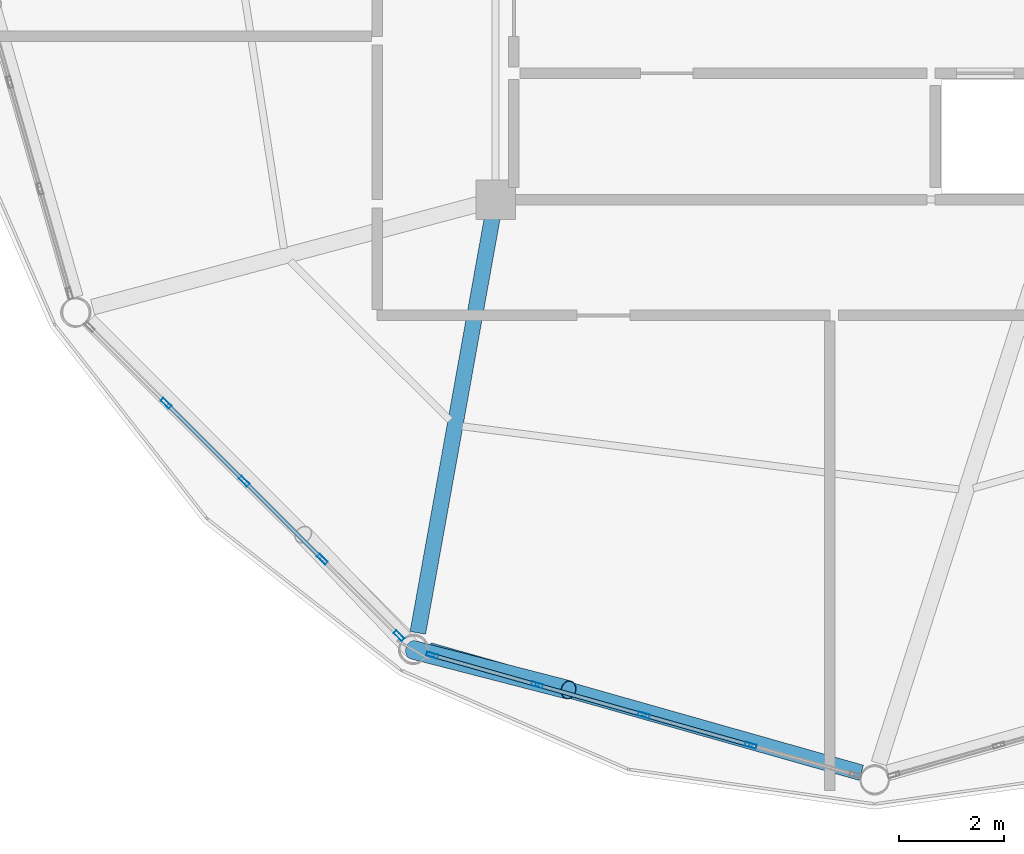
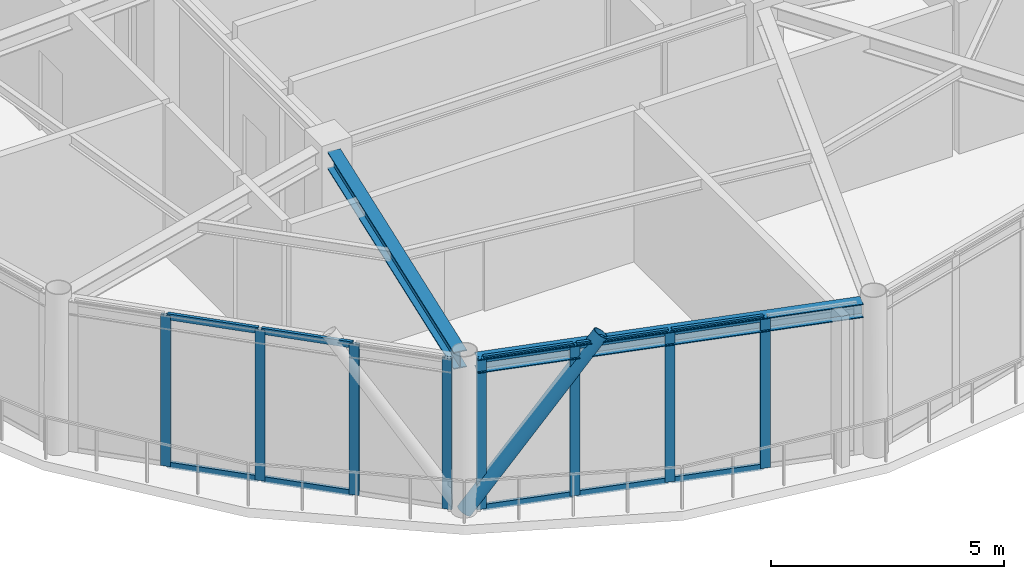
# One storey, part 2 of 21: 19 members, 2 beams, 2 elements without a shape of their own.
"""IFC4 building model written with IfcOpenShell, lengths in metres."""

from ifc_helpers import new_model, si_unit, direction, frame, origin, origin_2d, place, context, subcontext, project, spatial, hollow_rectangle, hollow_circle, i_section, extrude, material, layer, layer_set, material_profile, profile_set, type_object, element, aggregate, save


model = new_model("IFC4")

# Units and contexts
model_context = context("Model", 3, precision=1e-05, world=origin(), true_north=direction((0.0, 1.0)))
body_context = subcontext(model_context, "Body", "Model", "MODEL_VIEW")
ifc_project = project(units=[si_unit("LENGTHUNIT", "METRE"), si_unit("AREAUNIT", "SQUARE_METRE"), si_unit("VOLUMEUNIT", "CUBIC_METRE"), si_unit("PLANEANGLEUNIT", "RADIAN"), si_unit("MASSUNIT", "GRAM", prefix="KILO")], contexts=[model_context])

# Site, building, storey
site_placement = place(None, origin())
site = spatial("IfcSite", under=ifc_project, at=site_placement, CompositionType="ELEMENT")
building_placement = place(site_placement, origin())
building = spatial("IfcBuilding", under=site, at=building_placement, Name="Varnakorn Sky Granary", CompositionType="ELEMENT")
storey_placement = place(building_placement, frame((0.0, 0.0, 294.0)))
storey = spatial("IfcBuildingStorey", under=building, at=storey_placement, Name="L75", CompositionType="ELEMENT", Elevation=294.0)

# Beams
ifc_material_1 = material(Name="Steel S355JR", Category="steel")
ifc_material_profile_1 = material_profile(ifc_material_1, i_section(OverallWidth=0.300048828125, OverallDepth=0.449951171875, WebThickness=0.013916015625, FlangeThickness=0.02587890625, at=origin_2d()), Name="HE 450 B")
ifc_profile_set_1 = profile_set([ifc_material_profile_1], Name="Steel S355JR")
beam_type_1 = type_object("IfcBeamType", Name="BM-RAD-Z5", PredefinedType="BEAM", material=ifc_profile_set_1)
beam_1_placement = place(storey_placement, frame((-2.41259765625, -6.949462890625, 3.735107421875), z_axis=(-0.176490542483, -0.984302335878, 0.0), x_axis=(0.984302335878, -0.176490542483, 0.0)))
element("IfcBeam", 1, at=beam_1_placement, inside=storey, type_object=beam_type_1, Name="Radial Floor Girder RG09 L75", PredefinedType="BEAM", context=body_context, shape_type="SweptSolid", body=[
    extrude(i_section(OverallWidth=0.300048828125, OverallDepth=0.449951171875, WebThickness=0.013916015625, FlangeThickness=0.02587890625, at=origin_2d()), origin(), (0.0, 0.0, 1.0), 8.00390625),
])
ifc_material_profile_2 = material_profile(ifc_material_1, i_section(OverallWidth=0.300048828125, OverallDepth=0.360107421875, WebThickness=0.012451171875, FlangeThickness=0.0224609375, at=origin_2d()), Name="HE 360 B")
ifc_profile_set_2 = profile_set([ifc_material_profile_2], Name="Steel S355JR")
beam_type_2 = type_object("IfcBeamType", Name="BM-SPD-Z5", PredefinedType="SPANDREL", material=ifc_profile_set_2)
beam_2_placement = place(storey_placement, frame((-3.617431640625, -15.159912109375, 3.780029296875), z_axis=(0.962181719653, -0.272408403626, 0.0), x_axis=(0.272408403626, 0.962181719653, 0.0)))
element("IfcBeam", 2, at=beam_2_placement, inside=storey, type_object=beam_type_2, Name="Perimeter Spandrel Ring Beam RB09 L75", PredefinedType="SPANDREL", context=body_context, shape_type="SweptSolid", body=[
    extrude(i_section(OverallWidth=0.300048828125, OverallDepth=0.360107421875, WebThickness=0.012451171875, FlangeThickness=0.0224609375, at=origin_2d()), origin(), (0.0, 0.0, 1.0), 8.53564453125),
])

# Curtain wall, members
ifc_material_2 = material(Name="Anodised Bronze Aluminium Alloy 6063-T6", Category="aluminium")
ifc_layer = layer(ifc_material_2, 0.22998046875, Name="Anodised Bronze Aluminium Alloy 6063-T6")
ifc_layer_set = layer_set([ifc_layer], Name="Anodised Bronze Aluminium Alloy 6063-T6")
curtain_wall_type = type_object("IfcCurtainWallType", Name="CW-LNT-1", PredefinedType="USERDEFINED", material=ifc_layer_set)
curtain_wall_1_placement = place(storey_placement, origin())
curtain_wall_1 = element("IfcCurtainWall", 3, at=curtain_wall_1_placement, inside=storey, type_object=curtain_wall_type, Name="Unitised Curtain Wall CW7 CW-L75-B08", ObjectType="CURTAIN WALL", PredefinedType="USERDEFINED")
ifc_material_profile_3 = material_profile(ifc_material_2, hollow_rectangle(XDim=0.074951171875, YDim=0.219970703125, WallThickness=0.00390625, at=origin_2d()), Name="ALU MULL 75x220")
ifc_profile_set_3 = profile_set([ifc_material_profile_3], Name="Anodised Bronze Aluminium Alloy 6063-T6")
member_type_1 = type_object("IfcMemberType", Name="CW-LNT-1-MULL", PredefinedType="MULLION", material=ifc_profile_set_3)
member_1_placement = place(storey_placement, frame((-4.181396484375, -14.8837890625, 0.0), z_axis=(0.0, 0.0, 1.0), x_axis=(-0.706396880071, -0.70781597031, 0.0)))
member_1 = element("IfcMember", 4, at=member_1_placement, type_object=member_type_1, Name="CW7 mullion 1", PredefinedType="MULLION", context=body_context, shape_type="SweptSolid", body=[
    extrude(hollow_rectangle(XDim=0.074951171875, YDim=0.219970703125, WallThickness=0.00390625, at=origin_2d()), origin(), (0.0, 0.0, 1.0), 3.9599609375),
])
member_2_placement = place(storey_placement, frame((-5.638671875, -13.429443359375, 0.0), z_axis=(0.0, 0.0, 1.0), x_axis=(-0.706396880071, -0.70781597031, 0.0)))
member_2 = element("IfcMember", 5, at=member_2_placement, type_object=member_type_1, Name="CW7 mullion 2", PredefinedType="MULLION", context=body_context, shape_type="SweptSolid", body=[
    extrude(hollow_rectangle(XDim=0.074951171875, YDim=0.219970703125, WallThickness=0.00390625, at=origin_2d()), origin(), (0.0, 0.0, 1.0), 3.9599609375),
])
member_3_placement = place(storey_placement, frame((-7.12255859375, -11.948486328125, 0.0), z_axis=(0.0, 0.0, 1.0), x_axis=(-0.706396880071, -0.70781597031, 0.0)))
member_3 = element("IfcMember", 6, at=member_3_placement, type_object=member_type_1, Name="CW7 mullion 3", PredefinedType="MULLION", context=body_context, shape_type="SweptSolid", body=[
    extrude(hollow_rectangle(XDim=0.074951171875, YDim=0.219970703125, WallThickness=0.00390625, at=origin_2d()), origin(), (0.0, 0.0, 1.0), 3.9599609375),
])
member_4_placement = place(storey_placement, frame((-8.6064453125, -10.4677734375, 0.0), z_axis=(0.0, 0.0, 1.0), x_axis=(-0.706396880071, -0.70781597031, 0.0)))
member_4 = element("IfcMember", 7, at=member_4_placement, type_object=member_type_1, Name="CW7 mullion 4", PredefinedType="MULLION", context=body_context, shape_type="SweptSolid", body=[
    extrude(hollow_rectangle(XDim=0.074951171875, YDim=0.219970703125, WallThickness=0.00390625, at=origin_2d()), origin(), (0.0, 0.0, 1.0), 3.9599609375),
])

curtain_wall_2_placement = place(storey_placement, origin())
curtain_wall_2 = element("IfcCurtainWall", 8, at=curtain_wall_2_placement, inside=storey, type_object=curtain_wall_type, Name="Unitised Curtain Wall CW7 CW-L75-B09", ObjectType="CURTAIN WALL", PredefinedType="USERDEFINED")
member_5_placement = place(storey_placement, frame((2.49560546875, -16.963134765625, 0.0), z_axis=(0.0, 0.0, 1.0), x_axis=(-0.272147344542, -0.962255591233, 0.0)))
member_5 = element("IfcMember", 9, at=member_5_placement, type_object=member_type_1, Name="CW7 mullion 2", PredefinedType="MULLION", context=body_context, shape_type="SweptSolid", body=[
    extrude(hollow_rectangle(XDim=0.074951171875, YDim=0.219970703125, WallThickness=0.00390625, at=origin_2d()), origin(), (0.0, 0.0, 1.0), 3.9599609375),
])
member_6_placement = place(storey_placement, frame((0.4677734375, -16.3896484375, 0.0), z_axis=(0.0, 0.0, 1.0), x_axis=(-0.272147344542, -0.962255591233, 0.0)))
member_6 = element("IfcMember", 10, at=member_6_placement, type_object=member_type_1, Name="CW7 mullion 3", PredefinedType="MULLION", context=body_context, shape_type="SweptSolid", body=[
    extrude(hollow_rectangle(XDim=0.074951171875, YDim=0.219970703125, WallThickness=0.00390625, at=origin_2d()), origin(), (0.0, 0.0, 1.0), 3.9599609375),
])
member_7_placement = place(storey_placement, frame((-1.56005859375, -15.816162109375, 0.0), z_axis=(0.0, 0.0, 1.0), x_axis=(-0.272147344542, -0.962255591233, 0.0)))
member_7 = element("IfcMember", 11, at=member_7_placement, type_object=member_type_1, Name="CW7 mullion 4", PredefinedType="MULLION", context=body_context, shape_type="SweptSolid", body=[
    extrude(hollow_rectangle(XDim=0.074951171875, YDim=0.219970703125, WallThickness=0.00390625, at=origin_2d()), origin(), (0.0, 0.0, 1.0), 3.9599609375),
])
member_8_placement = place(storey_placement, frame((-3.5517578125, -15.252685546875, 0.0), z_axis=(0.0, 0.0, 1.0), x_axis=(-0.272147344542, -0.962255591233, 0.0)))
member_8 = element("IfcMember", 12, at=member_8_placement, type_object=member_type_1, Name="CW7 mullion 5", PredefinedType="MULLION", context=body_context, shape_type="SweptSolid", body=[
    extrude(hollow_rectangle(XDim=0.074951171875, YDim=0.219970703125, WallThickness=0.00390625, at=origin_2d()), origin(), (0.0, 0.0, 1.0), 3.9599609375),
])

# Member
ifc_material_profile_4 = material_profile(ifc_material_2, hollow_rectangle(XDim=0.074951171875, YDim=0.159912109375, WallThickness=0.00390625, at=origin_2d()), Name="ALU TRAN 75x160")
ifc_profile_set_4 = profile_set([ifc_material_profile_4], Name="Anodised Bronze Aluminium Alloy 6063-T6")
member_type_2 = type_object("IfcMemberType", Name="CW-LNT-1-TRAN", PredefinedType="USERDEFINED", material=ifc_profile_set_4)
member_9_placement = place(storey_placement, frame((-5.665283203125, -13.403076171875, 0.03759765625), z_axis=(-0.707770759115, 0.706442179192, 0.0), x_axis=(-0.706442179192, -0.707770759115, 0.0)))
member_9 = element("IfcMember", 13, at=member_9_placement, type_object=member_type_2, Name="CW7 transom 2.1", ObjectType="TRANSOM", PredefinedType="USERDEFINED", context=body_context, shape_type="SweptSolid", body=[
    extrude(hollow_rectangle(XDim=0.074951171875, YDim=0.159912109375, WallThickness=0.00390625, at=origin_2d()), origin(), (0.0, 0.0, 1.0), 2.021484375),
])

member_10_placement = place(storey_placement, frame((-5.665283203125, -13.403076171875, 3.922607421875), z_axis=(-0.707770759115, 0.706442179192, 0.0), x_axis=(-0.706442179192, -0.707770759115, 0.0)))
member_10 = element("IfcMember", 14, at=member_10_placement, type_object=member_type_2, Name="CW7 transom 2.2", ObjectType="TRANSOM", PredefinedType="USERDEFINED", context=body_context, shape_type="SweptSolid", body=[
    extrude(hollow_rectangle(XDim=0.074951171875, YDim=0.159912109375, WallThickness=0.00390625, at=origin_2d()), origin(), (0.0, 0.0, 1.0), 2.021484375),
])

member_11_placement = place(storey_placement, frame((-7.149169921875, -11.922119140625, 0.03759765625), z_axis=(-0.707770759115, 0.706442179192, 0.0), x_axis=(-0.706442179192, -0.707770759115, 0.0)))
member_11 = element("IfcMember", 15, at=member_11_placement, type_object=member_type_2, Name="CW7 transom 3.1", ObjectType="TRANSOM", PredefinedType="USERDEFINED", context=body_context, shape_type="SweptSolid", body=[
    extrude(hollow_rectangle(XDim=0.074951171875, YDim=0.159912109375, WallThickness=0.00390625, at=origin_2d()), origin(), (0.0, 0.0, 1.0), 2.021484375),
])

member_12_placement = place(storey_placement, frame((-7.149169921875, -11.922119140625, 3.922607421875), z_axis=(-0.707770759115, 0.706442179192, 0.0), x_axis=(-0.706442179192, -0.707770759115, 0.0)))
member_12 = element("IfcMember", 16, at=member_12_placement, type_object=member_type_2, Name="CW7 transom 3.2", ObjectType="TRANSOM", PredefinedType="USERDEFINED", context=body_context, shape_type="SweptSolid", body=[
    extrude(hollow_rectangle(XDim=0.074951171875, YDim=0.159912109375, WallThickness=0.00390625, at=origin_2d()), origin(), (0.0, 0.0, 1.0), 2.021484375),
])

aggregate(curtain_wall_1, [member_1, member_2, member_3, member_4, member_9, member_10, member_11, member_12])

member_13_placement = place(storey_placement, frame((2.45947265625, -16.952880859375, 0.03759765625), z_axis=(-0.962268383835, 0.272102108538, 0.0), x_axis=(-0.272102108538, -0.962268383835, 0.0)))
member_13 = element("IfcMember", 17, at=member_13_placement, type_object=member_type_2, Name="CW7 transom 2.1", ObjectType="TRANSOM", PredefinedType="USERDEFINED", context=body_context, shape_type="SweptSolid", body=[
    extrude(hollow_rectangle(XDim=0.074951171875, YDim=0.159912109375, WallThickness=0.00390625, at=origin_2d()), origin(), (0.0, 0.0, 1.0), 2.0322265625),
])

member_14_placement = place(storey_placement, frame((2.45947265625, -16.952880859375, 3.922607421875), z_axis=(-0.962268383835, 0.272102108538, 0.0), x_axis=(-0.272102108538, -0.962268383835, 0.0)))
member_14 = element("IfcMember", 18, at=member_14_placement, type_object=member_type_2, Name="CW7 transom 2.2", ObjectType="TRANSOM", PredefinedType="USERDEFINED", context=body_context, shape_type="SweptSolid", body=[
    extrude(hollow_rectangle(XDim=0.074951171875, YDim=0.159912109375, WallThickness=0.00390625, at=origin_2d()), origin(), (0.0, 0.0, 1.0), 2.0322265625),
])

member_15_placement = place(storey_placement, frame((0.431640625, -16.37939453125, 0.03759765625), z_axis=(-0.962268383835, 0.272102108538, 0.0), x_axis=(-0.272102108538, -0.962268383835, 0.0)))
member_15 = element("IfcMember", 19, at=member_15_placement, type_object=member_type_2, Name="CW7 transom 3.1", ObjectType="TRANSOM", PredefinedType="USERDEFINED", context=body_context, shape_type="SweptSolid", body=[
    extrude(hollow_rectangle(XDim=0.074951171875, YDim=0.159912109375, WallThickness=0.00390625, at=origin_2d()), origin(), (0.0, 0.0, 1.0), 2.0322265625),
])

member_16_placement = place(storey_placement, frame((0.431640625, -16.37939453125, 3.922607421875), z_axis=(-0.962268383835, 0.272102108538, 0.0), x_axis=(-0.272102108538, -0.962268383835, 0.0)))
member_16 = element("IfcMember", 20, at=member_16_placement, type_object=member_type_2, Name="CW7 transom 3.2", ObjectType="TRANSOM", PredefinedType="USERDEFINED", context=body_context, shape_type="SweptSolid", body=[
    extrude(hollow_rectangle(XDim=0.074951171875, YDim=0.159912109375, WallThickness=0.00390625, at=origin_2d()), origin(), (0.0, 0.0, 1.0), 2.0322265625),
])

member_17_placement = place(storey_placement, frame((-1.59619140625, -15.805908203125, 0.03759765625), z_axis=(-0.962241133586, 0.272198458547, 0.0), x_axis=(-0.272198458547, -0.962241133586, 0.0)))
member_17 = element("IfcMember", 21, at=member_17_placement, type_object=member_type_2, Name="CW7 transom 4.1", ObjectType="TRANSOM", PredefinedType="USERDEFINED", context=body_context, shape_type="SweptSolid", body=[
    extrude(hollow_rectangle(XDim=0.074951171875, YDim=0.159912109375, WallThickness=0.00390625, at=origin_2d()), origin(), (0.0, 0.0, 1.0), 1.994873046875),
])

member_18_placement = place(storey_placement, frame((-1.59619140625, -15.805908203125, 3.922607421875), z_axis=(-0.962241133586, 0.272198458547, 0.0), x_axis=(-0.272198458547, -0.962241133586, 0.0)))
member_18 = element("IfcMember", 22, at=member_18_placement, type_object=member_type_2, Name="CW7 transom 4.2", ObjectType="TRANSOM", PredefinedType="USERDEFINED", context=body_context, shape_type="SweptSolid", body=[
    extrude(hollow_rectangle(XDim=0.074951171875, YDim=0.159912109375, WallThickness=0.00390625, at=origin_2d()), origin(), (0.0, 0.0, 1.0), 1.994873046875),
])

aggregate(curtain_wall_2, [member_5, member_6, member_7, member_8, member_13, member_14, member_15, member_16, member_17, member_18])

ifc_material_3 = material(Name="Steel S460M", Category="steel")
ifc_material_profile_5 = material_profile(ifc_material_3, hollow_circle(Radius=0.177734375, WallThickness=0.01416015625, at=origin_2d()), Name="CHS 355.6x14")
ifc_profile_set_5 = profile_set([ifc_material_profile_5], Name="Steel S460M")
member_type_3 = type_object("IfcMemberType", Name="MB-DIAG-T5", PredefinedType="BRACE", material=ifc_profile_set_5)
member_19_placement = place(storey_placement, frame((-3.91455078125, -15.150146484375, 0.0), z_axis=(0.578424472094, -0.149165824302, 0.801981724819), x_axis=(0.249713202655, 0.968319842004, 0.0)))
element("IfcMember", 23, at=member_19_placement, inside=storey, type_object=member_type_3, Name="Perimeter CHS Diagrid Brace DG09 L75", PredefinedType="BRACE", context=body_context, shape_type="SweptSolid", body=[
    extrude(hollow_circle(Radius=0.177734375, WallThickness=0.01416015625, at=origin_2d()), origin(), (0.0, 0.0, 1.0), 5.10009765625),
])

save(model, "model.ifc")
